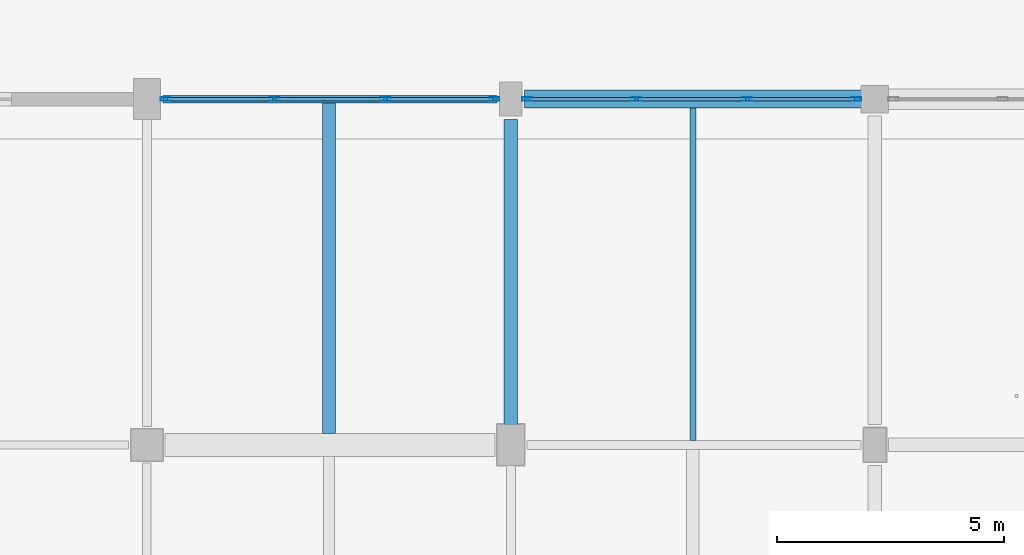
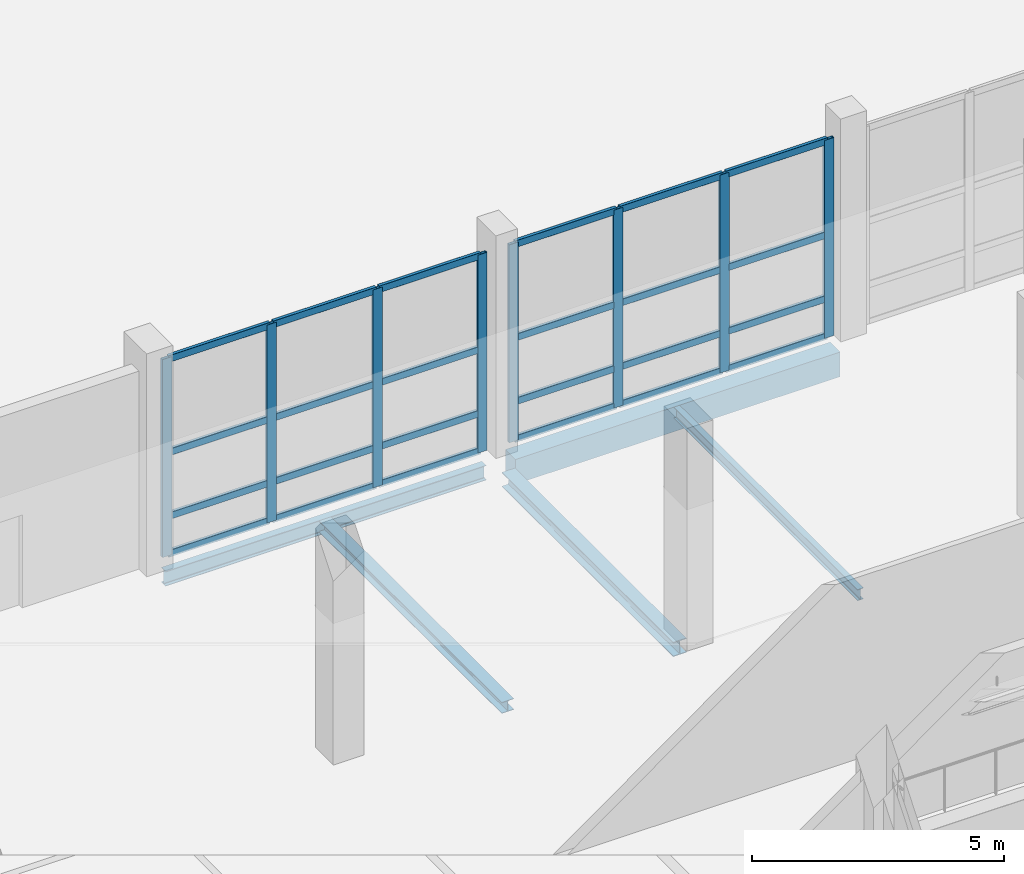
# One storey, part 25 of 126: 32 members, 5 beams, 2 elements without a shape of their own.
"""IFC4 building model written with IfcOpenShell, lengths in metres."""

from ifc_helpers import new_model, si_unit, direction, frame, origin, origin_2d, place, context, subcontext, project, spatial, rectangle, hollow_rectangle, i_section, extrude, material, material_profile, profile_set, type_object, element, aggregate, save


model = new_model("IFC4")

# Units and contexts
model_context = context("Model", 3, precision=1e-05, world=origin(), true_north=direction((0.0, 1.0)))
body_context = subcontext(model_context, "Body", "Model", "MODEL_VIEW")
ifc_project = project(units=[si_unit("LENGTHUNIT", "METRE"), si_unit("AREAUNIT", "SQUARE_METRE"), si_unit("VOLUMEUNIT", "CUBIC_METRE"), si_unit("PLANEANGLEUNIT", "RADIAN"), si_unit("MASSUNIT", "GRAM", prefix="KILO")], contexts=[model_context])

# Site, building, storey
site_placement = place(None, origin())
site = spatial("IfcSite", under=ifc_project, at=site_placement, CompositionType="ELEMENT")
building_placement = place(site_placement, origin())
building = spatial("IfcBuilding", under=site, at=building_placement, Name="Khelvaren Railside Concert Hall", CompositionType="ELEMENT")
storey_placement = place(building_placement, origin())
storey = spatial("IfcBuildingStorey", under=building, at=storey_placement, Name="L00", CompositionType="ELEMENT", Elevation=0.0)

# Beam
ifc_material_1 = material(Name="Steel S355", Category="steel")
ifc_material_profile_1 = material_profile(ifc_material_1, i_section(OverallWidth=0.300048828125, OverallDepth=0.35009765625, WebThickness=0.010009765625, FlangeThickness=0.017578125, FilletRadius=0.027099609375, at=origin_2d()), Name="HEA 360")
ifc_profile_set_1 = profile_set([ifc_material_profile_1], Name="Steel S355")
beam_type_1 = type_object("IfcBeamType", Name="BM73", PredefinedType="BEAM", material=ifc_profile_set_1)
beam_1_placement = place(storey_placement, frame((120.0, 15.550048828125, -0.4951171875), z_axis=(0.0, 1.0, 0.0), x_axis=(-1.0, 0.0, 0.0)))
element("IfcBeam", 1, at=beam_1_placement, inside=storey, type_object=beam_type_1, Name="V3 L00 Beam Y8.3", PredefinedType="BEAM", context=body_context, shape_type="SweptSolid", body=[
    extrude(i_section(OverallWidth=0.300048828125, OverallDepth=0.35009765625, WebThickness=0.010009765625, FlangeThickness=0.017578125, FilletRadius=0.027099609375, at=origin_2d()), origin(), (0.0, 0.0, 1.0), 6.800048828125),
])

# Curtain wall, members
ifc_material_2 = material(Name="Triple-glazed solar-control glass", Category="glass")
curtain_wall_type_1 = type_object("IfcCurtainWallType", Name="CW41", PredefinedType="USERDEFINED", material=ifc_material_2)
curtain_wall_1_placement = place(storey_placement, origin())
curtain_wall_1 = element("IfcCurtainWall", 2, at=curtain_wall_1_placement, inside=storey, type_object=curtain_wall_type_1, Name="Unitised Curtain Wall CW-V3-L00-N-112", ObjectType="UNITISED CURTAIN WALL", PredefinedType="USERDEFINED")
ifc_material_3 = material(Name="Anodised architectural aluminium 6063-T6", Category="aluminium")
ifc_material_profile_2 = material_profile(ifc_material_3, hollow_rectangle(XDim=0.074951171875, YDim=0.219970703125, WallThickness=0.0048828125, InnerFilletRadius=0.0029296875, OuterFilletRadius=0.0048828125, at=origin_2d()), Name="CWM 75x220x5")
ifc_profile_set_2 = profile_set([ifc_material_profile_2], Name="Anodised architectural aluminium 6063-T6")
member_type_1 = type_object("IfcMemberType", Name="CWM13", PredefinedType="MULLION", material=ifc_profile_set_2)
member_1_placement = place(storey_placement, frame((112.409912109375, 22.800048828125, 0.0), z_axis=(0.0, 0.0, 1.0), x_axis=(0.0, 1.0, 0.0)))
member_1 = element("IfcMember", 3, at=member_1_placement, type_object=member_type_1, Name="CW41 mullion 1", PredefinedType="MULLION", context=body_context, shape_type="SweptSolid", body=[
    extrude(hollow_rectangle(XDim=0.074951171875, YDim=0.219970703125, WallThickness=0.0048828125, InnerFilletRadius=0.0029296875, OuterFilletRadius=0.0048828125, at=origin_2d()), origin(), (0.0, 0.0, 1.0), 4.800048828125),
])
member_2_placement = place(storey_placement, frame((114.8076171875, 22.800048828125, 0.0), z_axis=(0.0, 0.0, 1.0), x_axis=(0.0, 1.0, 0.0)))
member_2 = element("IfcMember", 4, at=member_2_placement, type_object=member_type_1, Name="CW41 mullion 2", PredefinedType="MULLION", context=body_context, shape_type="SweptSolid", body=[
    extrude(hollow_rectangle(XDim=0.074951171875, YDim=0.219970703125, WallThickness=0.0048828125, InnerFilletRadius=0.0029296875, OuterFilletRadius=0.0048828125, at=origin_2d()), origin(), (0.0, 0.0, 1.0), 4.800048828125),
])
member_3_placement = place(storey_placement, frame((117.242431640625, 22.800048828125, 0.0), z_axis=(0.0, 0.0, 1.0), x_axis=(0.0, 1.0, 0.0)))
member_3 = element("IfcMember", 5, at=member_3_placement, type_object=member_type_1, Name="CW41 mullion 3", PredefinedType="MULLION", context=body_context, shape_type="SweptSolid", body=[
    extrude(hollow_rectangle(XDim=0.074951171875, YDim=0.219970703125, WallThickness=0.0048828125, InnerFilletRadius=0.0029296875, OuterFilletRadius=0.0048828125, at=origin_2d()), origin(), (0.0, 0.0, 1.0), 4.800048828125),
])
member_4_placement = place(storey_placement, frame((119.639892578125, 22.800048828125, 0.0), z_axis=(0.0, 0.0, 1.0), x_axis=(0.0, 1.0, 0.0)))
member_4 = element("IfcMember", 6, at=member_4_placement, type_object=member_type_1, Name="CW41 mullion 4", PredefinedType="MULLION", context=body_context, shape_type="SweptSolid", body=[
    extrude(hollow_rectangle(XDim=0.074951171875, YDim=0.219970703125, WallThickness=0.0048828125, InnerFilletRadius=0.0029296875, OuterFilletRadius=0.0048828125, at=origin_2d()), origin(), (0.0, 0.0, 1.0), 4.800048828125),
])

curtain_wall_type_2 = type_object("IfcCurtainWallType", Name="CW88", PredefinedType="USERDEFINED", material=ifc_material_2)
curtain_wall_2_placement = place(storey_placement, origin())
curtain_wall_2 = element("IfcCurtainWall", 7, at=curtain_wall_2_placement, inside=storey, type_object=curtain_wall_type_2, Name="Unitised Curtain Wall CW-V3-L00-N-120", ObjectType="UNITISED CURTAIN WALL", PredefinedType="USERDEFINED")
member_5_placement = place(storey_placement, frame((120.360107421875, 22.800048828125, 0.0), z_axis=(0.0, 0.0, 1.0), x_axis=(0.0, 1.0, 0.0)))
member_5 = element("IfcMember", 8, at=member_5_placement, type_object=member_type_1, Name="CW88 mullion 1", PredefinedType="MULLION", context=body_context, shape_type="SweptSolid", body=[
    extrude(hollow_rectangle(XDim=0.074951171875, YDim=0.219970703125, WallThickness=0.0048828125, InnerFilletRadius=0.0029296875, OuterFilletRadius=0.0048828125, at=origin_2d()), origin(), (0.0, 0.0, 1.0), 4.800048828125),
])
member_6_placement = place(storey_placement, frame((122.757568359375, 22.800048828125, 0.0), z_axis=(0.0, 0.0, 1.0), x_axis=(0.0, 1.0, 0.0)))
member_6 = element("IfcMember", 9, at=member_6_placement, type_object=member_type_1, Name="CW88 mullion 2", PredefinedType="MULLION", context=body_context, shape_type="SweptSolid", body=[
    extrude(hollow_rectangle(XDim=0.074951171875, YDim=0.219970703125, WallThickness=0.0048828125, InnerFilletRadius=0.0029296875, OuterFilletRadius=0.0048828125, at=origin_2d()), origin(), (0.0, 0.0, 1.0), 4.800048828125),
])
member_7_placement = place(storey_placement, frame((125.1923828125, 22.800048828125, 0.0), z_axis=(0.0, 0.0, 1.0), x_axis=(0.0, 1.0, 0.0)))
member_7 = element("IfcMember", 10, at=member_7_placement, type_object=member_type_1, Name="CW88 mullion 3", PredefinedType="MULLION", context=body_context, shape_type="SweptSolid", body=[
    extrude(hollow_rectangle(XDim=0.074951171875, YDim=0.219970703125, WallThickness=0.0048828125, InnerFilletRadius=0.0029296875, OuterFilletRadius=0.0048828125, at=origin_2d()), origin(), (0.0, 0.0, 1.0), 4.800048828125),
])
member_8_placement = place(storey_placement, frame((127.590087890625, 22.800048828125, 0.0), z_axis=(0.0, 0.0, 1.0), x_axis=(0.0, 1.0, 0.0)))
member_8 = element("IfcMember", 11, at=member_8_placement, type_object=member_type_1, Name="CW88 mullion 4", PredefinedType="MULLION", context=body_context, shape_type="SweptSolid", body=[
    extrude(hollow_rectangle(XDim=0.074951171875, YDim=0.219970703125, WallThickness=0.0048828125, InnerFilletRadius=0.0029296875, OuterFilletRadius=0.0048828125, at=origin_2d()), origin(), (0.0, 0.0, 1.0), 4.800048828125),
])

# Member
ifc_material_profile_3 = material_profile(ifc_material_3, hollow_rectangle(XDim=0.074951171875, YDim=0.1650390625, WallThickness=0.00390625, InnerFilletRadius=0.001953125, OuterFilletRadius=0.00390625, at=origin_2d()), Name="CWT 75x165x4")
ifc_profile_set_3 = profile_set([ifc_material_profile_3], Name="Anodised architectural aluminium 6063-T6")
member_type_2 = type_object("IfcMemberType", Name="CWT46", PredefinedType="USERDEFINED", material=ifc_profile_set_3)
member_9_placement = place(storey_placement, frame((112.447509765625, 22.800048828125, 0.03759765625), z_axis=(1.0, 0.0, 0.0), x_axis=(0.0, 1.0, 0.0)))
member_9 = element("IfcMember", 12, at=member_9_placement, type_object=member_type_2, Name="CW41 transom 1.1", ObjectType="TRANSOM", PredefinedType="USERDEFINED", context=body_context, shape_type="SweptSolid", body=[
    extrude(hollow_rectangle(XDim=0.074951171875, YDim=0.1650390625, WallThickness=0.00390625, InnerFilletRadius=0.001953125, OuterFilletRadius=0.00390625, at=origin_2d()), origin(), (0.0, 0.0, 1.0), 2.322509765625),
])

member_10_placement = place(storey_placement, frame((112.447509765625, 22.800048828125, 0.949951171875), z_axis=(1.0, 0.0, 0.0), x_axis=(0.0, 1.0, 0.0)))
member_10 = element("IfcMember", 13, at=member_10_placement, type_object=member_type_2, Name="CW41 transom 1.2", ObjectType="TRANSOM", PredefinedType="USERDEFINED", context=body_context, shape_type="SweptSolid", body=[
    extrude(hollow_rectangle(XDim=0.074951171875, YDim=0.1650390625, WallThickness=0.00390625, InnerFilletRadius=0.001953125, OuterFilletRadius=0.00390625, at=origin_2d()), origin(), (0.0, 0.0, 1.0), 2.322509765625),
])

member_11_placement = place(storey_placement, frame((112.447509765625, 22.800048828125, 2.49609375), z_axis=(1.0, 0.0, 0.0), x_axis=(0.0, 1.0, 0.0)))
member_11 = element("IfcMember", 14, at=member_11_placement, type_object=member_type_2, Name="CW41 transom 1.3", ObjectType="TRANSOM", PredefinedType="USERDEFINED", context=body_context, shape_type="SweptSolid", body=[
    extrude(hollow_rectangle(XDim=0.074951171875, YDim=0.1650390625, WallThickness=0.00390625, InnerFilletRadius=0.001953125, OuterFilletRadius=0.00390625, at=origin_2d()), origin(), (0.0, 0.0, 1.0), 2.322509765625),
])

member_12_placement = place(storey_placement, frame((112.447509765625, 22.800048828125, 4.762451171875), z_axis=(1.0, 0.0, 0.0), x_axis=(0.0, 1.0, 0.0)))
member_12 = element("IfcMember", 15, at=member_12_placement, type_object=member_type_2, Name="CW41 transom 1.4", ObjectType="TRANSOM", PredefinedType="USERDEFINED", context=body_context, shape_type="SweptSolid", body=[
    extrude(hollow_rectangle(XDim=0.074951171875, YDim=0.1650390625, WallThickness=0.00390625, InnerFilletRadius=0.001953125, OuterFilletRadius=0.00390625, at=origin_2d()), origin(), (0.0, 0.0, 1.0), 2.322509765625),
])

member_13_placement = place(storey_placement, frame((114.844970703125, 22.800048828125, 0.03759765625), z_axis=(1.0, 0.0, 0.0), x_axis=(0.0, 1.0, 0.0)))
member_13 = element("IfcMember", 16, at=member_13_placement, type_object=member_type_2, Name="CW41 transom 2.1", ObjectType="TRANSOM", PredefinedType="USERDEFINED", context=body_context, shape_type="SweptSolid", body=[
    extrude(hollow_rectangle(XDim=0.074951171875, YDim=0.1650390625, WallThickness=0.00390625, InnerFilletRadius=0.001953125, OuterFilletRadius=0.00390625, at=origin_2d()), origin(), (0.0, 0.0, 1.0), 2.360107421875),
])

member_14_placement = place(storey_placement, frame((114.844970703125, 22.800048828125, 0.949951171875), z_axis=(1.0, 0.0, 0.0), x_axis=(0.0, 1.0, 0.0)))
member_14 = element("IfcMember", 17, at=member_14_placement, type_object=member_type_2, Name="CW41 transom 2.2", ObjectType="TRANSOM", PredefinedType="USERDEFINED", context=body_context, shape_type="SweptSolid", body=[
    extrude(hollow_rectangle(XDim=0.074951171875, YDim=0.1650390625, WallThickness=0.00390625, InnerFilletRadius=0.001953125, OuterFilletRadius=0.00390625, at=origin_2d()), origin(), (0.0, 0.0, 1.0), 2.360107421875),
])

member_15_placement = place(storey_placement, frame((114.844970703125, 22.800048828125, 2.49609375), z_axis=(1.0, 0.0, 0.0), x_axis=(0.0, 1.0, 0.0)))
member_15 = element("IfcMember", 18, at=member_15_placement, type_object=member_type_2, Name="CW41 transom 2.3", ObjectType="TRANSOM", PredefinedType="USERDEFINED", context=body_context, shape_type="SweptSolid", body=[
    extrude(hollow_rectangle(XDim=0.074951171875, YDim=0.1650390625, WallThickness=0.00390625, InnerFilletRadius=0.001953125, OuterFilletRadius=0.00390625, at=origin_2d()), origin(), (0.0, 0.0, 1.0), 2.360107421875),
])

member_16_placement = place(storey_placement, frame((114.844970703125, 22.800048828125, 4.762451171875), z_axis=(1.0, 0.0, 0.0), x_axis=(0.0, 1.0, 0.0)))
member_16 = element("IfcMember", 19, at=member_16_placement, type_object=member_type_2, Name="CW41 transom 2.4", ObjectType="TRANSOM", PredefinedType="USERDEFINED", context=body_context, shape_type="SweptSolid", body=[
    extrude(hollow_rectangle(XDim=0.074951171875, YDim=0.1650390625, WallThickness=0.00390625, InnerFilletRadius=0.001953125, OuterFilletRadius=0.00390625, at=origin_2d()), origin(), (0.0, 0.0, 1.0), 2.360107421875),
])

member_17_placement = place(storey_placement, frame((117.280029296875, 22.800048828125, 0.03759765625), z_axis=(1.0, 0.0, 0.0), x_axis=(0.0, 1.0, 0.0)))
member_17 = element("IfcMember", 20, at=member_17_placement, type_object=member_type_2, Name="CW41 transom 3.1", ObjectType="TRANSOM", PredefinedType="USERDEFINED", context=body_context, shape_type="SweptSolid", body=[
    extrude(hollow_rectangle(XDim=0.074951171875, YDim=0.1650390625, WallThickness=0.00390625, InnerFilletRadius=0.001953125, OuterFilletRadius=0.00390625, at=origin_2d()), origin(), (0.0, 0.0, 1.0), 2.322509765625),
])

member_18_placement = place(storey_placement, frame((117.280029296875, 22.800048828125, 0.949951171875), z_axis=(1.0, 0.0, 0.0), x_axis=(0.0, 1.0, 0.0)))
member_18 = element("IfcMember", 21, at=member_18_placement, type_object=member_type_2, Name="CW41 transom 3.2", ObjectType="TRANSOM", PredefinedType="USERDEFINED", context=body_context, shape_type="SweptSolid", body=[
    extrude(hollow_rectangle(XDim=0.074951171875, YDim=0.1650390625, WallThickness=0.00390625, InnerFilletRadius=0.001953125, OuterFilletRadius=0.00390625, at=origin_2d()), origin(), (0.0, 0.0, 1.0), 2.322509765625),
])

member_19_placement = place(storey_placement, frame((117.280029296875, 22.800048828125, 2.49609375), z_axis=(1.0, 0.0, 0.0), x_axis=(0.0, 1.0, 0.0)))
member_19 = element("IfcMember", 22, at=member_19_placement, type_object=member_type_2, Name="CW41 transom 3.3", ObjectType="TRANSOM", PredefinedType="USERDEFINED", context=body_context, shape_type="SweptSolid", body=[
    extrude(hollow_rectangle(XDim=0.074951171875, YDim=0.1650390625, WallThickness=0.00390625, InnerFilletRadius=0.001953125, OuterFilletRadius=0.00390625, at=origin_2d()), origin(), (0.0, 0.0, 1.0), 2.322509765625),
])

member_20_placement = place(storey_placement, frame((117.280029296875, 22.800048828125, 4.762451171875), z_axis=(1.0, 0.0, 0.0), x_axis=(0.0, 1.0, 0.0)))
member_20 = element("IfcMember", 23, at=member_20_placement, type_object=member_type_2, Name="CW41 transom 3.4", ObjectType="TRANSOM", PredefinedType="USERDEFINED", context=body_context, shape_type="SweptSolid", body=[
    extrude(hollow_rectangle(XDim=0.074951171875, YDim=0.1650390625, WallThickness=0.00390625, InnerFilletRadius=0.001953125, OuterFilletRadius=0.00390625, at=origin_2d()), origin(), (0.0, 0.0, 1.0), 2.322509765625),
])

aggregate(curtain_wall_1, [member_1, member_2, member_3, member_4, member_9, member_10, member_11, member_12, member_13, member_14, member_15, member_16, member_17, member_18, member_19, member_20])

member_21_placement = place(storey_placement, frame((120.3974609375, 22.800048828125, 0.03759765625), z_axis=(1.0, 0.0, 0.0), x_axis=(0.0, 1.0, 0.0)))
member_21 = element("IfcMember", 24, at=member_21_placement, type_object=member_type_2, Name="CW88 transom 1.1", ObjectType="TRANSOM", PredefinedType="USERDEFINED", context=body_context, shape_type="SweptSolid", body=[
    extrude(hollow_rectangle(XDim=0.074951171875, YDim=0.1650390625, WallThickness=0.00390625, InnerFilletRadius=0.001953125, OuterFilletRadius=0.00390625, at=origin_2d()), origin(), (0.0, 0.0, 1.0), 2.322509765625),
])

member_22_placement = place(storey_placement, frame((120.3974609375, 22.800048828125, 0.949951171875), z_axis=(1.0, 0.0, 0.0), x_axis=(0.0, 1.0, 0.0)))
member_22 = element("IfcMember", 25, at=member_22_placement, type_object=member_type_2, Name="CW88 transom 1.2", ObjectType="TRANSOM", PredefinedType="USERDEFINED", context=body_context, shape_type="SweptSolid", body=[
    extrude(hollow_rectangle(XDim=0.074951171875, YDim=0.1650390625, WallThickness=0.00390625, InnerFilletRadius=0.001953125, OuterFilletRadius=0.00390625, at=origin_2d()), origin(), (0.0, 0.0, 1.0), 2.322509765625),
])

member_23_placement = place(storey_placement, frame((120.3974609375, 22.800048828125, 2.49609375), z_axis=(1.0, 0.0, 0.0), x_axis=(0.0, 1.0, 0.0)))
member_23 = element("IfcMember", 26, at=member_23_placement, type_object=member_type_2, Name="CW88 transom 1.3", ObjectType="TRANSOM", PredefinedType="USERDEFINED", context=body_context, shape_type="SweptSolid", body=[
    extrude(hollow_rectangle(XDim=0.074951171875, YDim=0.1650390625, WallThickness=0.00390625, InnerFilletRadius=0.001953125, OuterFilletRadius=0.00390625, at=origin_2d()), origin(), (0.0, 0.0, 1.0), 2.322509765625),
])

member_24_placement = place(storey_placement, frame((120.3974609375, 22.800048828125, 4.762451171875), z_axis=(1.0, 0.0, 0.0), x_axis=(0.0, 1.0, 0.0)))
member_24 = element("IfcMember", 27, at=member_24_placement, type_object=member_type_2, Name="CW88 transom 1.4", ObjectType="TRANSOM", PredefinedType="USERDEFINED", context=body_context, shape_type="SweptSolid", body=[
    extrude(hollow_rectangle(XDim=0.074951171875, YDim=0.1650390625, WallThickness=0.00390625, InnerFilletRadius=0.001953125, OuterFilletRadius=0.00390625, at=origin_2d()), origin(), (0.0, 0.0, 1.0), 2.322509765625),
])

member_25_placement = place(storey_placement, frame((122.794921875, 22.800048828125, 0.03759765625), z_axis=(1.0, 0.0, 0.0), x_axis=(0.0, 1.0, 0.0)))
member_25 = element("IfcMember", 28, at=member_25_placement, type_object=member_type_2, Name="CW88 transom 2.1", ObjectType="TRANSOM", PredefinedType="USERDEFINED", context=body_context, shape_type="SweptSolid", body=[
    extrude(hollow_rectangle(XDim=0.074951171875, YDim=0.1650390625, WallThickness=0.00390625, InnerFilletRadius=0.001953125, OuterFilletRadius=0.00390625, at=origin_2d()), origin(), (0.0, 0.0, 1.0), 2.360107421875),
])

member_26_placement = place(storey_placement, frame((122.794921875, 22.800048828125, 0.949951171875), z_axis=(1.0, 0.0, 0.0), x_axis=(0.0, 1.0, 0.0)))
member_26 = element("IfcMember", 29, at=member_26_placement, type_object=member_type_2, Name="CW88 transom 2.2", ObjectType="TRANSOM", PredefinedType="USERDEFINED", context=body_context, shape_type="SweptSolid", body=[
    extrude(hollow_rectangle(XDim=0.074951171875, YDim=0.1650390625, WallThickness=0.00390625, InnerFilletRadius=0.001953125, OuterFilletRadius=0.00390625, at=origin_2d()), origin(), (0.0, 0.0, 1.0), 2.360107421875),
])

member_27_placement = place(storey_placement, frame((122.794921875, 22.800048828125, 2.49609375), z_axis=(1.0, 0.0, 0.0), x_axis=(0.0, 1.0, 0.0)))
member_27 = element("IfcMember", 30, at=member_27_placement, type_object=member_type_2, Name="CW88 transom 2.3", ObjectType="TRANSOM", PredefinedType="USERDEFINED", context=body_context, shape_type="SweptSolid", body=[
    extrude(hollow_rectangle(XDim=0.074951171875, YDim=0.1650390625, WallThickness=0.00390625, InnerFilletRadius=0.001953125, OuterFilletRadius=0.00390625, at=origin_2d()), origin(), (0.0, 0.0, 1.0), 2.360107421875),
])

member_28_placement = place(storey_placement, frame((122.794921875, 22.800048828125, 4.762451171875), z_axis=(1.0, 0.0, 0.0), x_axis=(0.0, 1.0, 0.0)))
member_28 = element("IfcMember", 31, at=member_28_placement, type_object=member_type_2, Name="CW88 transom 2.4", ObjectType="TRANSOM", PredefinedType="USERDEFINED", context=body_context, shape_type="SweptSolid", body=[
    extrude(hollow_rectangle(XDim=0.074951171875, YDim=0.1650390625, WallThickness=0.00390625, InnerFilletRadius=0.001953125, OuterFilletRadius=0.00390625, at=origin_2d()), origin(), (0.0, 0.0, 1.0), 2.360107421875),
])

member_29_placement = place(storey_placement, frame((125.22998046875, 22.800048828125, 0.03759765625), z_axis=(1.0, 0.0, 0.0), x_axis=(0.0, 1.0, 0.0)))
member_29 = element("IfcMember", 32, at=member_29_placement, type_object=member_type_2, Name="CW88 transom 3.1", ObjectType="TRANSOM", PredefinedType="USERDEFINED", context=body_context, shape_type="SweptSolid", body=[
    extrude(hollow_rectangle(XDim=0.074951171875, YDim=0.1650390625, WallThickness=0.00390625, InnerFilletRadius=0.001953125, OuterFilletRadius=0.00390625, at=origin_2d()), origin(), (0.0, 0.0, 1.0), 2.322509765625),
])

member_30_placement = place(storey_placement, frame((125.22998046875, 22.800048828125, 0.949951171875), z_axis=(1.0, 0.0, 0.0), x_axis=(0.0, 1.0, 0.0)))
member_30 = element("IfcMember", 33, at=member_30_placement, type_object=member_type_2, Name="CW88 transom 3.2", ObjectType="TRANSOM", PredefinedType="USERDEFINED", context=body_context, shape_type="SweptSolid", body=[
    extrude(hollow_rectangle(XDim=0.074951171875, YDim=0.1650390625, WallThickness=0.00390625, InnerFilletRadius=0.001953125, OuterFilletRadius=0.00390625, at=origin_2d()), origin(), (0.0, 0.0, 1.0), 2.322509765625),
])

member_31_placement = place(storey_placement, frame((125.22998046875, 22.800048828125, 2.49609375), z_axis=(1.0, 0.0, 0.0), x_axis=(0.0, 1.0, 0.0)))
member_31 = element("IfcMember", 34, at=member_31_placement, type_object=member_type_2, Name="CW88 transom 3.3", ObjectType="TRANSOM", PredefinedType="USERDEFINED", context=body_context, shape_type="SweptSolid", body=[
    extrude(hollow_rectangle(XDim=0.074951171875, YDim=0.1650390625, WallThickness=0.00390625, InnerFilletRadius=0.001953125, OuterFilletRadius=0.00390625, at=origin_2d()), origin(), (0.0, 0.0, 1.0), 2.322509765625),
])

member_32_placement = place(storey_placement, frame((125.22998046875, 22.800048828125, 4.762451171875), z_axis=(1.0, 0.0, 0.0), x_axis=(0.0, 1.0, 0.0)))
member_32 = element("IfcMember", 35, at=member_32_placement, type_object=member_type_2, Name="CW88 transom 3.4", ObjectType="TRANSOM", PredefinedType="USERDEFINED", context=body_context, shape_type="SweptSolid", body=[
    extrude(hollow_rectangle(XDim=0.074951171875, YDim=0.1650390625, WallThickness=0.00390625, InnerFilletRadius=0.001953125, OuterFilletRadius=0.00390625, at=origin_2d()), origin(), (0.0, 0.0, 1.0), 2.322509765625),
])

aggregate(curtain_wall_2, [member_5, member_6, member_7, member_8, member_21, member_22, member_23, member_24, member_25, member_26, member_27, member_28, member_29, member_30, member_31, member_32])

# Beams
ifc_material_profile_4 = material_profile(ifc_material_1, i_section(OverallWidth=0.280029296875, OverallDepth=0.27001953125, WebThickness=0.008056640625, FlangeThickness=0.012939453125, FilletRadius=0.02392578125, at=origin_2d()), Name="HEA 280")
ifc_profile_set_4 = profile_set([ifc_material_profile_4], Name="Steel S355")
beam_type_2 = type_object("IfcBeamType", Name="JS46", PredefinedType="JOIST", material=ifc_profile_set_4)
beam_2_placement = place(storey_placement, frame((116.0, 15.449951171875, -0.455078125), z_axis=(0.0, 1.0, 0.0), x_axis=(-1.0, 0.0, 0.0)))
element("IfcBeam", 36, at=beam_2_placement, inside=storey, type_object=beam_type_2, Name="V3 L00 Secondary Joist 7.3", PredefinedType="JOIST", context=body_context, shape_type="SweptSolid", body=[
    extrude(i_section(OverallWidth=0.280029296875, OverallDepth=0.27001953125, WebThickness=0.008056640625, FlangeThickness=0.012939453125, FilletRadius=0.02392578125, at=origin_2d()), origin(), (0.0, 0.0, 1.0), 7.26513671875),
])
ifc_material_profile_5 = material_profile(ifc_material_1, i_section(OverallWidth=0.135009765625, OverallDepth=0.27001953125, WebThickness=0.006591796875, FlangeThickness=0.01025390625, FilletRadius=0.014892578125, at=origin_2d()), Name="IPE 270")
ifc_profile_set_5 = profile_set([ifc_material_profile_5], Name="Steel S355")
beam_type_3 = type_object("IfcBeamType", Name="JS78", PredefinedType="JOIST", material=ifc_profile_set_5)
beam_3_placement = place(storey_placement, frame((124.0, 15.300048828125, -0.455078125), z_axis=(0.0, 1.0, 0.0), x_axis=(-1.0, 0.0, 0.0)))
element("IfcBeam", 37, at=beam_3_placement, inside=storey, type_object=beam_type_3, Name="V3 L00 Secondary Joist 8.3", PredefinedType="JOIST", context=body_context, shape_type="SweptSolid", body=[
    extrude(i_section(OverallWidth=0.135009765625, OverallDepth=0.27001953125, WebThickness=0.006591796875, FlangeThickness=0.01025390625, FilletRadius=0.014892578125, at=origin_2d()), origin(), (0.0, 0.0, 1.0), 7.300048828125),
])
ifc_material_profile_6 = material_profile(ifc_material_1, i_section(OverallWidth=0.169921875, OverallDepth=0.360107421875, WebThickness=0.008056640625, FlangeThickness=0.0126953125, FilletRadius=0.01806640625, at=origin_2d()), Name="IPE 360")
ifc_profile_set_6 = profile_set([ifc_material_profile_6], Name="Steel S355")
beam_type_4 = type_object("IfcBeamType", Name="SP74", PredefinedType="SPANDREL", material=ifc_profile_set_6)
beam_4_placement = place(storey_placement, frame((112.35009765625, 22.800048828125, -0.5), z_axis=(1.0, 0.0, 0.0), x_axis=(0.0, 1.0, 0.0)))
element("IfcBeam", 38, at=beam_4_placement, inside=storey, type_object=beam_type_4, Name="V3 L00 Spandrel X4.7", PredefinedType="SPANDREL", context=body_context, shape_type="SweptSolid", body=[
    extrude(i_section(OverallWidth=0.169921875, OverallDepth=0.360107421875, WebThickness=0.008056640625, FlangeThickness=0.0126953125, FilletRadius=0.01806640625, at=origin_2d()), origin(), (0.0, 0.0, 1.0), 7.349853515625),
])
ifc_material_4 = material(Name="Concrete C40/50", Category="concrete")
ifc_material_profile_7 = material_profile(ifc_material_4, rectangle(XDim=0.39990234375, YDim=0.60009765625, at=origin_2d()), Name="RCB 400x600")
ifc_profile_set_7 = profile_set([ifc_material_profile_7], Name="Concrete C40/50")
beam_type_5 = type_object("IfcBeamType", Name="SP75", PredefinedType="SPANDREL", material=ifc_profile_set_7)
beam_5_placement = place(storey_placement, frame((120.300048828125, 22.800048828125, -0.6201171875), z_axis=(1.0, 0.0, 0.0), x_axis=(0.0, 1.0, 0.0)))
element("IfcBeam", 39, at=beam_5_placement, inside=storey, type_object=beam_type_5, Name="V3 L00 Spandrel X4.8", PredefinedType="SPANDREL", context=body_context, shape_type="SweptSolid", body=[
    extrude(rectangle(XDim=0.39990234375, YDim=0.60009765625, at=origin_2d()), origin(), (0.0, 0.0, 1.0), 7.449951171875),
])

save(model, "model.ifc")
